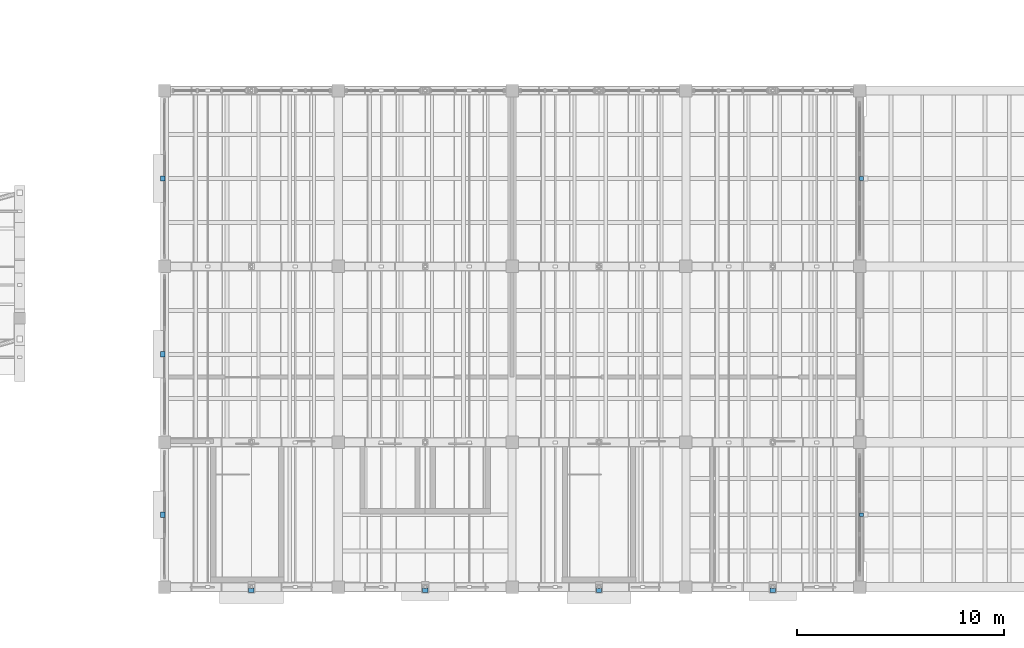
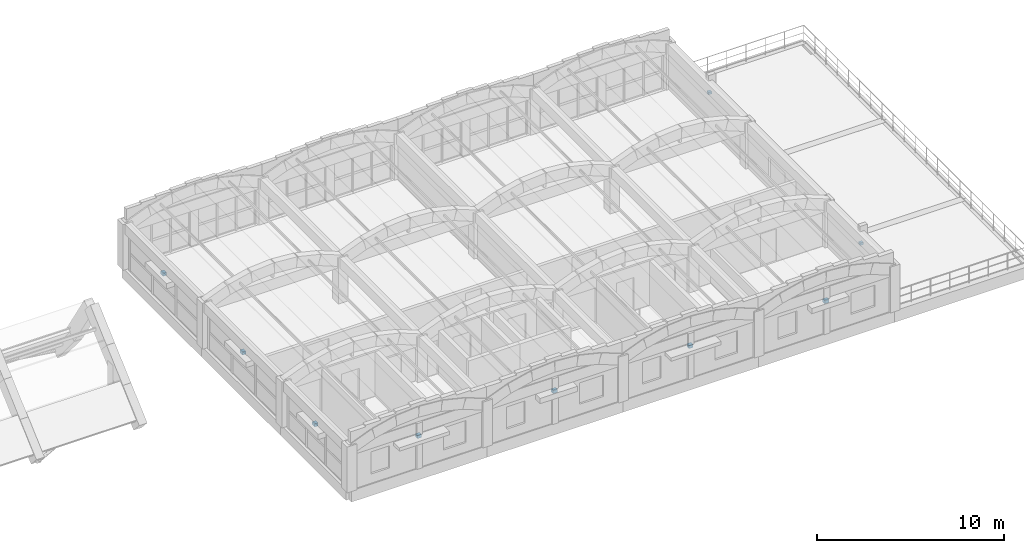
# One storey, part 35 of 40: 9 discrete accessories.
"""IFC4 building model written with IfcOpenShell, lengths in metres."""

from ifc_helpers import new_model, si_unit, direction, frame, origin, origin_2d, place, context, subcontext, project, spatial, rectangle, extrude, material, type_object, element, save


model = new_model("IFC4")

# Units and contexts
model_context = context("Model", 3, precision=1e-05, world=origin(), true_north=direction((0.0, 1.0)))
body_context = subcontext(model_context, "Body", "Model", "MODEL_VIEW")
ifc_project = project(units=[si_unit("LENGTHUNIT", "METRE"), si_unit("AREAUNIT", "SQUARE_METRE"), si_unit("VOLUMEUNIT", "CUBIC_METRE"), si_unit("PLANEANGLEUNIT", "RADIAN"), si_unit("MASSUNIT", "GRAM", prefix="KILO")], contexts=[model_context])

# Site, building, storey
site_placement = place(None, origin())
site = spatial("IfcSite", under=ifc_project, at=site_placement, CompositionType="ELEMENT")
building_placement = place(site_placement, origin())
building = spatial("IfcBuilding", under=site, at=building_placement, Name="Trellovar Central Fire Station", CompositionType="ELEMENT")
storey_placement = place(building_placement, frame((0.0, 0.0, 12.75)))
storey = spatial("IfcBuildingStorey", under=building, at=storey_placement, Name="L04", CompositionType="ELEMENT", Elevation=12.75)

# Discrete accessories
ifc_material_1 = material(Name="Patina bronze wrought metalwork", Category="metal")
discrete_accessory_type_1 = type_object("IfcDiscreteAccessoryType", Name="ACC-BRK1", PredefinedType="BRACKET", material=ifc_material_1)
for number, where, z_axis, x_axis, name in (
    (1, (109.699951171875, 8.85009765625, 2.0), (0.0, 0.0, 1.0), (1.0, 0.0, 0.0), "L04 bronze shade mounting bracket 88"),
    (2, (118.10009765625, 8.85009765625, 2.0), (0.0, 0.0, 1.0), (1.0, 0.0, 0.0), "L04 bronze shade mounting bracket 89"),
    (3, (126.5, 8.85009765625, 2.0), (0.0, 0.0, 1.0), (1.0, 0.0, 0.0), "L04 bronze shade mounting bracket 90"),
    (4, (134.89990234375, 8.85009765625, 2.0), (0.0, 0.0, 1.0), (1.0, 0.0, 0.0), "L04 bronze shade mounting bracket 91"),
    (5, (105.419921875, 12.5, 2.0498046875), (0.0, 0.0, 1.0), (0.0, 1.0, 0.0), "L04 bronze shade mounting bracket 92"),
    (6, (105.419921875, 20.25, 2.0498046875), (0.0, 0.0, 1.0), (0.0, 1.0, 0.0), "L04 bronze shade mounting bracket 93"),
    (7, (105.419921875, 28.75, 2.0498046875), (0.0, 0.0, 1.0), (0.0, 1.0, 0.0), "L04 bronze shade mounting bracket 94"),
):
    element("IfcDiscreteAccessory", number, at=place(storey_placement, frame(where, z_axis=z_axis, x_axis=x_axis)), inside=storey, type_object=discrete_accessory_type_1, Name=name, PredefinedType="BRACKET", context=body_context, shape_type="SweptSolid", body=[
        extrude(rectangle(XDim=0.260009765625, YDim=0.219970703125, at=origin_2d()), origin(), (0.0, 0.0, 1.0), 0.199951171875),
    ])
ifc_material_2 = material(Name="Patina bronze wrought metalwork", Category="metal")
discrete_accessory_type_2 = type_object("IfcDiscreteAccessoryType", Name="ACC-BRK2", PredefinedType="BRACKET", material=ifc_material_2)
for number, where, z_axis, x_axis, name in (
    (8, (139.179931640625, 12.5, 2.06982421875), (0.0, 0.0, 1.0), (1.0, 0.0, 0.0), "L04 bronze shade mounting bracket 95"),
    (9, (139.179931640625, 28.75, 2.06982421875), (0.0, 0.0, 1.0), (1.0, 0.0, 0.0), "L04 bronze shade mounting bracket 96"),
):
    element("IfcDiscreteAccessory", number, at=place(storey_placement, frame(where, z_axis=z_axis, x_axis=x_axis)), inside=storey, type_object=discrete_accessory_type_2, Name=name, PredefinedType="BRACKET", context=body_context, shape_type="SweptSolid", body=[
        extrude(rectangle(XDim=0.199951171875, YDim=0.179931640625, at=origin_2d()), origin(), (0.0, 0.0, 1.0), 0.159912109375),
    ])

save(model, "model.ifc")
